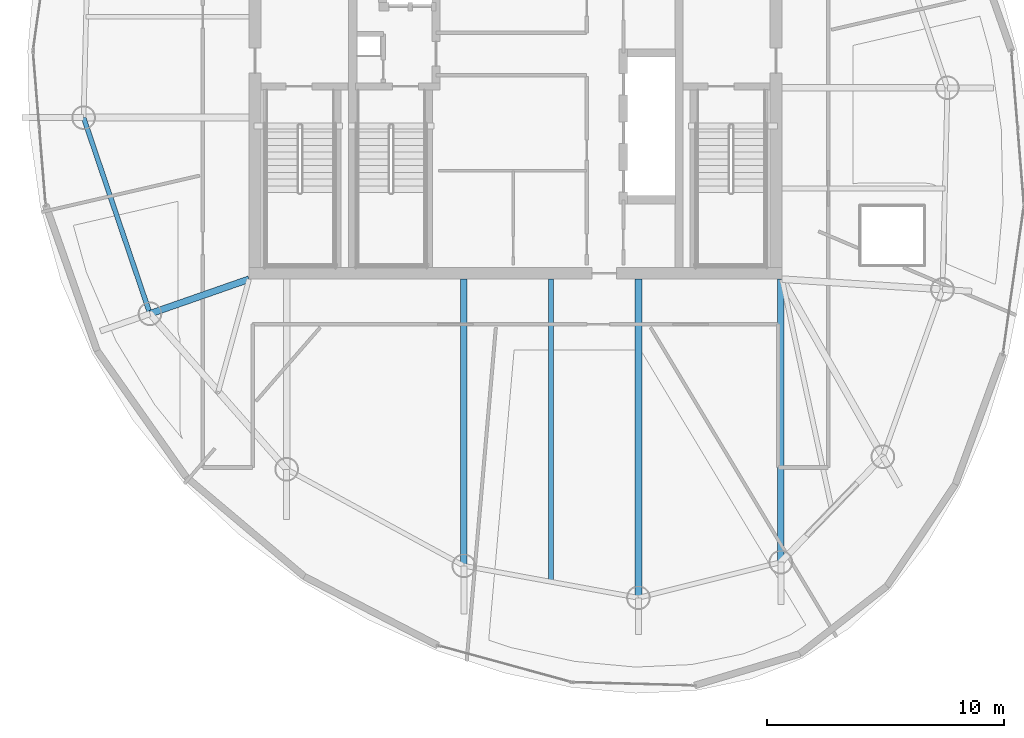
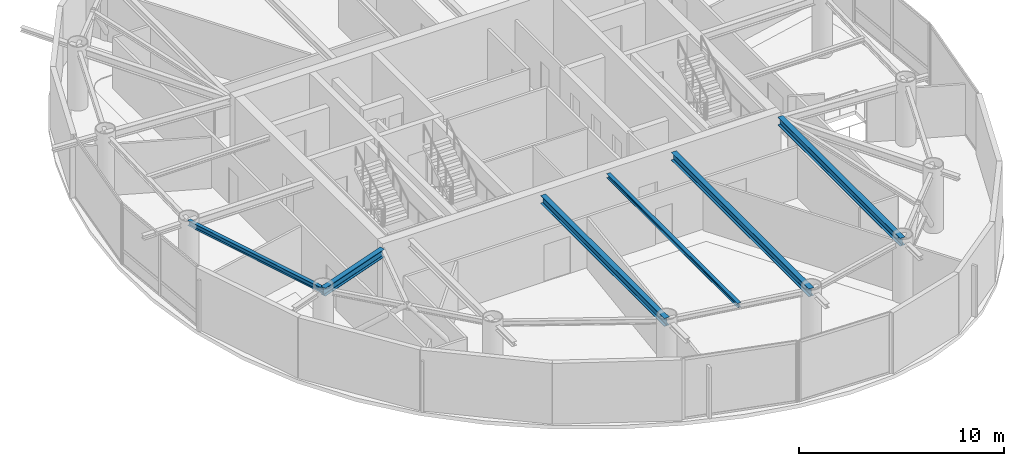
# One storey, part 3 of 20: 6 beams.
"""IFC4 building model written with IfcOpenShell, lengths in metres."""

from ifc_helpers import new_model, si_unit, direction, frame, origin, origin_2d, place, context, subcontext, project, spatial, i_section, extrude, material, material_profile, profile_set, type_object, element, save


model = new_model("IFC4")

# Units and contexts
model_context = context("Model", 3, precision=1e-05, world=origin(), true_north=direction((0.0, 1.0)))
body_context = subcontext(model_context, "Body", "Model", "MODEL_VIEW")
ifc_project = project(units=[si_unit("LENGTHUNIT", "METRE"), si_unit("AREAUNIT", "SQUARE_METRE"), si_unit("VOLUMEUNIT", "CUBIC_METRE"), si_unit("PLANEANGLEUNIT", "RADIAN"), si_unit("MASSUNIT", "GRAM", prefix="KILO")], contexts=[model_context])

# Site, building, storey
site_placement = place(None, origin())
site = spatial("IfcSite", under=ifc_project, at=site_placement, CompositionType="ELEMENT")
building_placement = place(site_placement, origin())
building = spatial("IfcBuilding", under=site, at=building_placement, Name="Bramvorn Convention Spire", CompositionType="ELEMENT")
storey_placement = place(building_placement, frame((0.0, 0.0, 284.39990234375)))
storey = spatial("IfcBuildingStorey", under=building, at=storey_placement, Name="L72", CompositionType="ELEMENT", Elevation=284.39990234375)

# Beams
ifc_material = material(Name="Steel CSA G40.21 Grade 350 (350W)", Category="steel")
ifc_material_profile_1 = material_profile(ifc_material, i_section(OverallWidth=0.201904296875, OverallDepth=0.2470703125, WebThickness=0.00732421875, FlangeThickness=0.010986328125, FilletRadius=0.011962890625, at=origin_2d()))
ifc_profile_set_1 = profile_set([ifc_material_profile_1], Name="Steel CSA G40.21 Grade 350 (350W) - W250X49")
beam_type_1 = type_object("IfcBeamType", Name="BM-W250X49", PredefinedType="JOIST", material=ifc_profile_set_1)
beam_1_placement = place(storey_placement, frame((39.501953125, 18.550048828125, 3.501708984375), z_axis=(0.0, -1.0, 0.0), x_axis=(1.0, 0.0, 0.0)))
element("IfcBeam", 1, at=beam_1_placement, inside=storey, type_object=beam_type_1, Name="L72 composite floor joist 15", PredefinedType="JOIST", context=body_context, shape_type="SweptSolid", body=[
    extrude(i_section(OverallWidth=0.201904296875, OverallDepth=0.2470703125, WebThickness=0.00732421875, FlangeThickness=0.010986328125, FilletRadius=0.011962890625, at=origin_2d()), origin(), (0.0, 0.0, 1.0), 12.77587890625),
])
ifc_material_profile_2 = material_profile(ifc_material, i_section(OverallWidth=0.202880859375, OverallDepth=0.302978515625, WebThickness=0.007568359375, FlangeThickness=0.01318359375, FilletRadius=0.013916015625, at=origin_2d()))
ifc_profile_set_2 = profile_set([ifc_material_profile_2], Name="Steel CSA G40.21 Grade 350 (350W) - W310X60")
beam_type_2 = type_object("IfcBeamType", Name="BM-W310X60", PredefinedType="JOIST", material=ifc_profile_set_2)
beam_2_placement = place(storey_placement, frame((19.765380859375, 25.37060546875, 3.4736328125), z_axis=(0.320531023763, -0.947238018032, 0.0), x_axis=(0.947238018032, 0.320531023763, 0.0)))
element("IfcBeam", 2, at=beam_2_placement, inside=storey, type_object=beam_type_2, Name="L72 mega-column ring beam 12", PredefinedType="JOIST", context=body_context, shape_type="SweptSolid", body=[
    extrude(i_section(OverallWidth=0.202880859375, OverallDepth=0.302978515625, WebThickness=0.007568359375, FlangeThickness=0.01318359375, FilletRadius=0.013916015625, at=origin_2d()), origin(), (0.0, 0.0, 1.0), 8.74169921875),
])
ifc_material_profile_3 = material_profile(ifc_material, i_section(OverallWidth=0.283935546875, OverallDepth=0.47607421875, WebThickness=0.014892578125, FlangeThickness=0.02392578125, FilletRadius=0.01806640625, at=origin_2d()))
ifc_profile_set_3 = profile_set([ifc_material_profile_3], Name="Steel CSA G40.21 Grade 350 (350W) - W460X158")
beam_type_3 = type_object("IfcBeamType", Name="BM-W460X158", PredefinedType="SPANDREL", material=ifc_profile_set_3)
beam_3_placement = place(storey_placement, frame((49.199951171875, 18.550048828125, 3.38720703125), z_axis=(0.0, -1.0, 0.0), x_axis=(1.0, 0.0, 0.0)))
element("IfcBeam", 3, at=beam_3_placement, inside=storey, type_object=beam_type_3, Name="L72 radial floor girder MC01", PredefinedType="SPANDREL", context=body_context, shape_type="SweptSolid", body=[
    extrude(i_section(OverallWidth=0.283935546875, OverallDepth=0.47607421875, WebThickness=0.014892578125, FlangeThickness=0.02392578125, FilletRadius=0.01806640625, at=origin_2d()), origin(), (0.0, 0.0, 1.0), 11.948974609375),
])
beam_4_placement = place(storey_placement, frame((26.75, 18.550048828125, 3.38720703125), z_axis=(-0.944136391877, -0.329554962843, 0.0), x_axis=(0.329554962843, -0.944136391877, 0.0)))
element("IfcBeam", 4, at=beam_4_placement, inside=storey, type_object=beam_type_3, Name="L72 radial floor girder MC13", PredefinedType="SPANDREL", context=body_context, shape_type="SweptSolid", body=[
    extrude(i_section(OverallWidth=0.283935546875, OverallDepth=0.47607421875, WebThickness=0.014892578125, FlangeThickness=0.02392578125, FilletRadius=0.01806640625, at=origin_2d()), origin(), (0.0, 0.0, 1.0), 4.43017578125),
])
beam_5_placement = place(storey_placement, frame((35.8154296875, 18.550048828125, 3.38720703125), z_axis=(0.0, -1.0, 0.0), x_axis=(1.0, 0.0, 0.0)))
element("IfcBeam", 5, at=beam_5_placement, inside=storey, type_object=beam_type_3, Name="L72 radial floor girder MC15", PredefinedType="SPANDREL", context=body_context, shape_type="SweptSolid", body=[
    extrude(i_section(OverallWidth=0.283935546875, OverallDepth=0.47607421875, WebThickness=0.014892578125, FlangeThickness=0.02392578125, FilletRadius=0.01806640625, at=origin_2d()), origin(), (0.0, 0.0, 1.0), 12.100830078125),
])
beam_6_placement = place(storey_placement, frame((43.1884765625, 18.550048828125, 3.38720703125), z_axis=(0.0, -1.0, 0.0), x_axis=(1.0, 0.0, 0.0)))
element("IfcBeam", 6, at=beam_6_placement, inside=storey, type_object=beam_type_3, Name="L72 radial floor girder MC16", PredefinedType="SPANDREL", context=body_context, shape_type="SweptSolid", body=[
    extrude(i_section(OverallWidth=0.283935546875, OverallDepth=0.47607421875, WebThickness=0.014892578125, FlangeThickness=0.02392578125, FilletRadius=0.01806640625, at=origin_2d()), origin(), (0.0, 0.0, 1.0), 13.450927734375),
])

save(model, "model.ifc")
